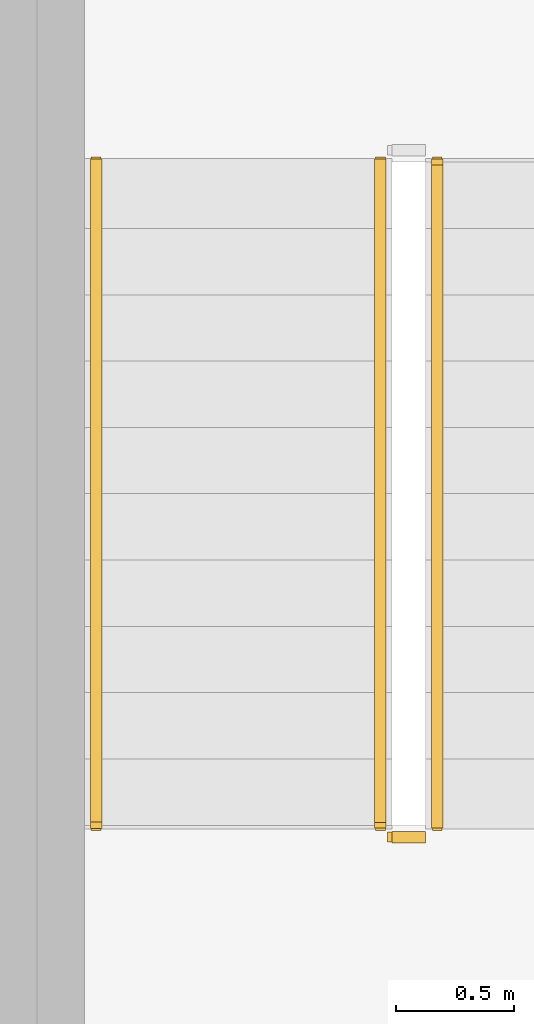
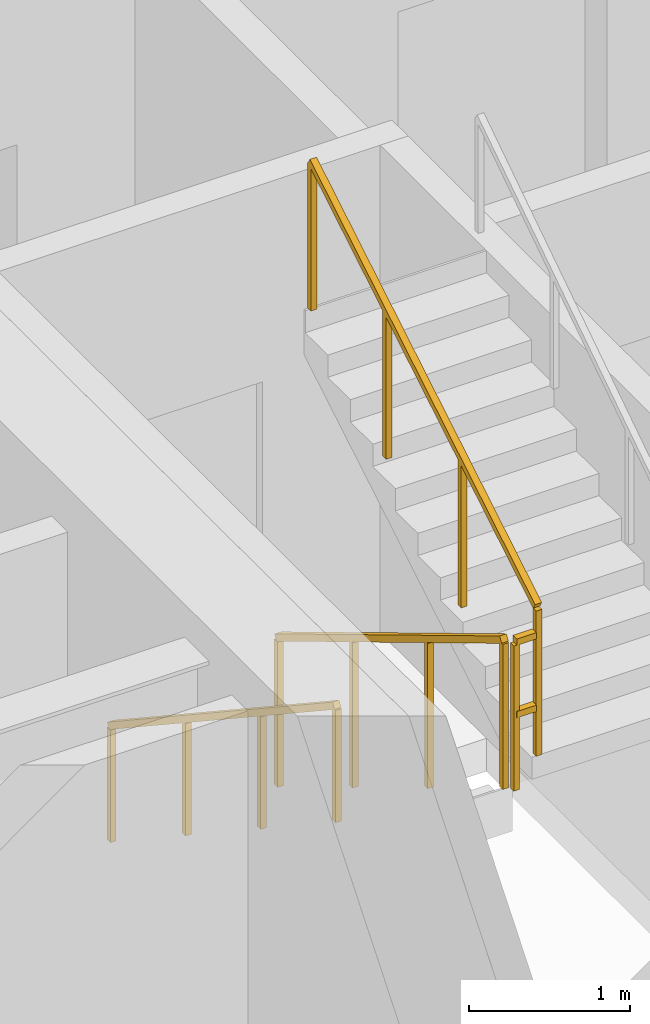
# One storey, part 15 of 19: 4 railings.
"""IFC4 building model written with IfcOpenShell, lengths in metres."""

from ifc_helpers import new_model, si_unit, derived_unit, direction, frame, origin, origin_2d, place, context, subcontext, project, spatial, rectangle, extrude, material, type_object, element, save


model = new_model("IFC4")

# Units and contexts
model_context = context("Model", 3, precision=1e-05, world=origin(), true_north=direction((0.0, 1.0)))
body_context = subcontext(model_context, "Body", "Model", "MODEL_VIEW")
ifc_project = project(units=[si_unit("LENGTHUNIT", "METRE"), si_unit("AREAUNIT", "SQUARE_METRE"), si_unit("VOLUMEUNIT", "CUBIC_METRE"), si_unit("PLANEANGLEUNIT", "RADIAN"), si_unit("MASSUNIT", "GRAM", prefix="KILO"), si_unit("THERMODYNAMICTEMPERATUREUNIT", "KELVIN"), si_unit("POWERUNIT", "WATT"), derived_unit("THERMALTRANSMITTANCEUNIT", [(si_unit("POWERUNIT", "WATT"), 1), (si_unit("AREAUNIT", "SQUARE_METRE"), -1), (si_unit("THERMODYNAMICTEMPERATUREUNIT", "KELVIN"), -1)])], contexts=[model_context])

# Site, building, storey
site_placement = place(None, origin())
site = spatial("IfcSite", under=ifc_project, at=site_placement, CompositionType="ELEMENT")
building_placement = place(site_placement, origin())
building = spatial("IfcBuilding", under=site, at=building_placement, Name="Zahravan Archway Hotel and Residences", CompositionType="ELEMENT")
storey_placement = place(building_placement, frame((0.0, 0.0, 43.5)))
storey = spatial("IfcBuildingStorey", under=building, at=storey_placement, Name="L09", CompositionType="ELEMENT", Elevation=43.5)

# Railings
ifc_material_1 = material(Name="Painted Tubular Steel", Category="steel")
railing_type_1 = type_object("IfcRailingType", Name="RL-STG-1150", PredefinedType="GUARDRAIL", material=ifc_material_1)
railing_1_placement = place(storey_placement, frame((36.550048828125, 9.72998046875, 0.168212890625)))
element("IfcRailing", 1, at=railing_1_placement, inside=storey, type_object=railing_type_1, Name="L09 ST-A1 stair guard 1", PredefinedType="GUARDRAIL", context=body_context, shape_type="SweptSolid", body=[
    extrude(rectangle(XDim=0.048095703125, YDim=0.048095703125, at=origin_2d()), frame((0.0, 0.0, 1.1259765625), z_axis=(0.0, -0.857242210791, 0.514913383045), x_axis=(1.0, 0.0, 0.0)), (0.0, 0.0, 1.0), 3.266357421875),
    extrude(rectangle(XDim=0.0419921875, YDim=0.0419921875, at=origin_2d()), origin(), (0.0, 0.0, 1.0), 1.101806640625),
    extrude(rectangle(XDim=0.0419921875, YDim=0.0419921875, at=origin_2d()), frame((0.0, -0.933349609375, 0.560546875)), (0.0, 0.0, 1.0), 1.101806640625),
    extrude(rectangle(XDim=0.0419921875, YDim=0.0419921875, at=origin_2d()), frame((0.0, -1.86669921875, 1.121337890625)), (0.0, 0.0, 1.0), 1.101806640625),
    extrude(rectangle(XDim=0.0419921875, YDim=0.0419921875, at=origin_2d()), frame((0.0, -2.800048828125, 1.681884765625)), (0.0, 0.0, 1.0), 1.101806640625),
])
railing_2_placement = place(storey_placement, frame((36.60009765625, 6.8798828125, 1.85009765625)))
element("IfcRailing", 2, at=railing_2_placement, inside=storey, type_object=railing_type_1, Name="L09 ST-A1 stair guard 2", PredefinedType="GUARDRAIL", context=body_context, shape_type="SweptSolid", body=[
    extrude(rectangle(XDim=0.048095703125, YDim=0.048095703125, at=origin_2d()), frame((0.0, 0.0, 1.1259765625), z_axis=(1.0, 0.0, 0.0), x_axis=(0.0, 1.0, 0.0)), (0.0, 0.0, 1.0), 0.139892578125),
    extrude(rectangle(XDim=0.048095703125, YDim=0.048095703125, at=origin_2d()), frame((0.0, 0.0, 0.574951171875), z_axis=(1.0, 0.0, 0.0), x_axis=(0.0, 1.0, 0.0)), (0.0, 0.0, 1.0), 0.139892578125),
    extrude(rectangle(XDim=0.0419921875, YDim=0.0419921875, at=origin_2d()), origin(), (0.0, 0.0, 1.0), 1.101806640625),
])
railing_3_placement = place(storey_placement, frame((36.7900390625, 6.929931640625, 2.01806640625)))
element("IfcRailing", 3, at=railing_3_placement, inside=storey, type_object=railing_type_1, Name="L09 ST-A1 stair guard 3", PredefinedType="GUARDRAIL", context=body_context, shape_type="SweptSolid", body=[
    extrude(rectangle(XDim=0.048095703125, YDim=0.048095703125, at=origin_2d()), frame((0.0, 0.0, 1.1259765625), z_axis=(0.0, 0.857242210791, 0.514913383045), x_axis=(-1.0, 0.0, 0.0)), (0.0, 0.0, 1.0), 3.266357421875),
    extrude(rectangle(XDim=0.0419921875, YDim=0.0419921875, at=origin_2d()), origin(), (0.0, 0.0, 1.0), 1.101806640625),
    extrude(rectangle(XDim=0.0419921875, YDim=0.0419921875, at=origin_2d()), frame((0.0, 0.933349609375, 0.560546875)), (0.0, 0.0, 1.0), 1.101806640625),
    extrude(rectangle(XDim=0.0419921875, YDim=0.0419921875, at=origin_2d()), frame((0.0, 1.86669921875, 1.121337890625)), (0.0, 0.0, 1.0), 1.101806640625),
    extrude(rectangle(XDim=0.0419921875, YDim=0.0419921875, at=origin_2d()), frame((0.0, 2.800048828125, 1.681884765625)), (0.0, 0.0, 1.0), 1.101806640625),
])
ifc_material_2 = material(Name="Brushed Stainless Steel", Category="steel")
railing_type_2 = type_object("IfcRailingType", Name="RL-STH-900", PredefinedType="HANDRAIL", material=ifc_material_2)
railing_4_placement = place(storey_placement, frame((35.35009765625, 9.72998046875, 0.168212890625)))
element("IfcRailing", 4, at=railing_4_placement, inside=storey, type_object=railing_type_2, Name="L09 ST-A1 stair handrail 1", PredefinedType="HANDRAIL", context=body_context, shape_type="SweptSolid", body=[
    extrude(rectangle(XDim=0.048095703125, YDim=0.048095703125, at=origin_2d()), frame((0.0, 0.0, 0.8759765625), z_axis=(0.0, -0.83435981716, 0.551220187865), x_axis=(1.0, 0.0, 0.0)), (0.0, 0.0, 1.0), 3.35595703125),
    extrude(rectangle(XDim=0.0419921875, YDim=0.0419921875, at=origin_2d()), origin(), (0.0, 0.0, 1.0), 0.851806640625),
    extrude(rectangle(XDim=0.0419921875, YDim=0.0419921875, at=origin_2d()), frame((0.0, -0.933349609375, 0.61669921875)), (0.0, 0.0, 1.0), 0.851806640625),
    extrude(rectangle(XDim=0.0419921875, YDim=0.0419921875, at=origin_2d()), frame((0.0, -1.86669921875, 1.233154296875)), (0.0, 0.0, 1.0), 0.851806640625),
    extrude(rectangle(XDim=0.0419921875, YDim=0.0419921875, at=origin_2d()), frame((0.0, -2.800048828125, 1.849853515625)), (0.0, 0.0, 1.0), 0.851806640625),
])

save(model, "model.ifc")
